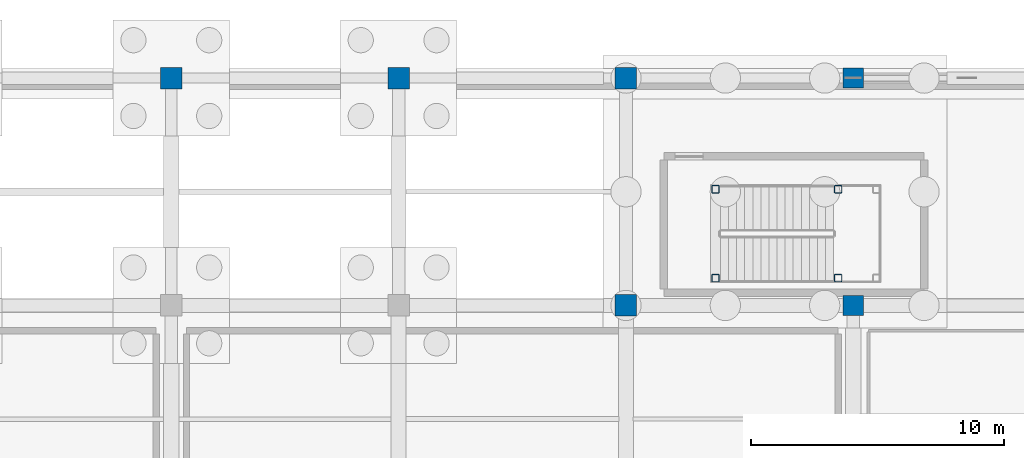
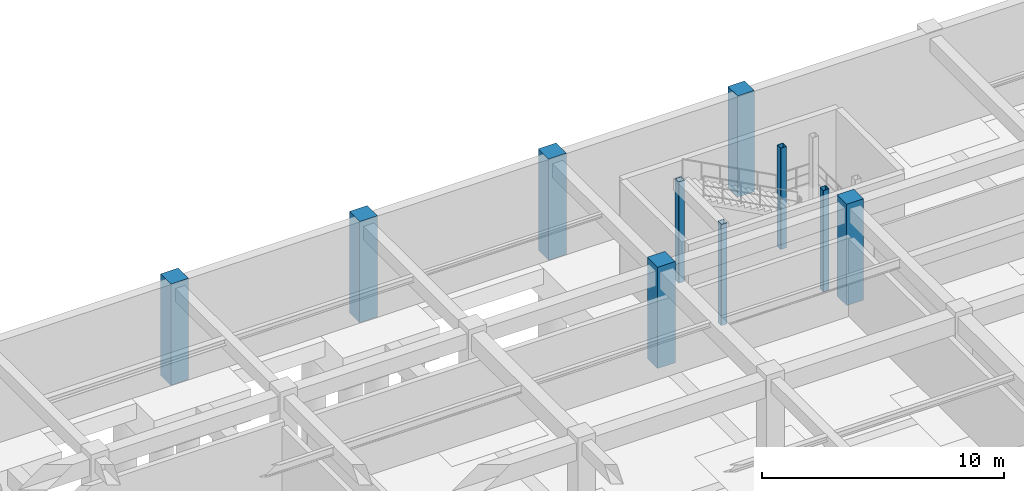
# One storey, part 24 of 62: 10 columns.
"""IFC4 building model written with IfcOpenShell, lengths in metres."""

import ifcopenshell
import ifcopenshell.guid

model = None  # the IFC model being written
_history = None  # IfcOwnerHistory: only IFC2X3 demands one
_inside = {}  # id of a spatial element -> (the spatial element, [elements in it])
_under = {}  # id of a project, library or spatial element -> (it, [spatial elements below it])
_declared = {}  # id of a project -> (the project, [libraries it declares])
_typed = {}  # id of a type object -> (the type object, [elements of that type])
_made_of = {}  # id of a material, layer set ... -> (it, [elements and type objects made of it])


def new_model(schema):
    """Start an empty IFC model of exactly this schema.

    Asked for "IFC4X3", IfcOpenShell would pick the latest addendum, in which some entities
    have other attributes; the version numbers below select the first issue.
    IFC2X3 requires an IfcOwnerHistory on every rooted entity: one is made here for all.
    """
    global model, _history
    if schema == "IFC4X3":
        model = ifcopenshell.file(schema_version=(4, 3, 0, 0))
    else:
        model = ifcopenshell.file(schema=schema)
    _inside.clear()
    _under.clear()
    _declared.clear()
    _typed.clear()
    _made_of.clear()
    _history = None
    if model.schema == "IFC2X3":
        org = make("IfcOrganization", Name="unknown")
        user = make(
            "IfcPersonAndOrganization",
            ThePerson=make("IfcPerson", FamilyName="unknown"),
            TheOrganization=org,
        )
        app = make(
            "IfcApplication",
            ApplicationDeveloper=org,
            Version="unknown",
            ApplicationFullName="unknown",
            ApplicationIdentifier="unknown",
        )
        _history = make(
            "IfcOwnerHistory",
            OwningUser=user,
            OwningApplication=app,
            ChangeAction="ADDED",
            CreationDate=0,
        )
    return model


def make(cls, **values):
    """One entity of the class cls with the attributes given. An attribute that is None is left unset."""
    return model.create_entity(
        cls, **{name: value for name, value in values.items() if value is not None}
    )


def rooted(cls, **values):
    """An entity with a GlobalId (a new one), such as an element, a storey or a relation."""
    return make(cls, GlobalId=ifcopenshell.guid.new(), OwnerHistory=_history, **values)


def si_unit(unit_type, name, prefix=None):
    """IfcSIUnit, for example si_unit("LENGTHUNIT", "METRE", prefix="MILLI")."""
    return make("IfcSIUnit", UnitType=unit_type, Prefix=prefix, Name=name)


def assignment(units):
    """IfcUnitAssignment: the units of a project."""
    return None if units is None else make("IfcUnitAssignment", Units=units)


def point(xyz):
    """IfcCartesianPoint."""
    return None if xyz is None else make("IfcCartesianPoint", Coordinates=xyz)


def direction(xyz):
    """IfcDirection."""
    return None if xyz is None else make("IfcDirection", DirectionRatios=xyz)


def frame(location, z_axis=None, x_axis=None):
    """IfcAxis2Placement3D, a coordinate frame: its origin and axes. An axis left out is left unset."""
    return make(
        "IfcAxis2Placement3D",
        Location=point(location),
        Axis=direction(z_axis),
        RefDirection=direction(x_axis),
    )


def frame_2d(location, x_axis=None):
    """IfcAxis2Placement2D, a coordinate frame in the plane: its origin and x axis."""
    return make(
        "IfcAxis2Placement2D", Location=point(location), RefDirection=direction(x_axis)
    )


def origin():
    """The frame at (0, 0, 0) with its axes left unset."""
    return frame((0.0, 0.0, 0.0))


def origin_2d():
    """The frame at (0, 0) in the plane with its x axis left unset."""
    return frame_2d((0.0, 0.0))


def place(relative_to, where):
    """IfcLocalPlacement: puts the frame where relative to a parent placement (None: the world)."""
    return make(
        "IfcLocalPlacement", PlacementRelTo=relative_to, RelativePlacement=where
    )


def context(
    kind, dimensions, precision=None, world=None, true_north=None, identifier=None
):
    """IfcGeometricRepresentationContext, for example the 3D "Model" context."""
    return make(
        "IfcGeometricRepresentationContext",
        ContextIdentifier=identifier,
        ContextType=kind,
        CoordinateSpaceDimension=dimensions,
        Precision=precision,
        WorldCoordinateSystem=world,
        TrueNorth=true_north,
    )


def subcontext(parent, identifier, kind, view, scale=None):
    """IfcGeometricRepresentationSubContext, for example "Body" below "Model"."""
    return make(
        "IfcGeometricRepresentationSubContext",
        ContextIdentifier=identifier,
        ContextType=kind,
        ParentContext=parent,
        TargetScale=scale,
        TargetView=view,
    )


def project(units=None, contexts=None):
    """IfcProject with its units and contexts."""
    return rooted(
        "IfcProject",
        Name="project",
        RepresentationContexts=contexts,
        UnitsInContext=assignment(units),
    )


def spatial(cls, under=None, at=None, **own):
    """A site, building, storey or space (cls), placed at a placement, below another one or the project."""
    s = rooted(cls, ObjectPlacement=at, **own)
    if under is not None:
        _under.setdefault(under.id(), (under, []))[1].append(s)
    return s


def profile(cls, at=None, kind="AREA", **sizes):
    """A parametric profile (cls). Its sizes go by their IFC names, for example OverallWidth=200.0."""
    return make(cls, ProfileType=kind, Position=at, **sizes)


def rectangle(**sizes):
    """IfcRectangleProfileDef."""
    return profile("IfcRectangleProfileDef", **sizes)


def hollow_rectangle(**sizes):
    """IfcRectangleHollowProfileDef."""
    return profile("IfcRectangleHollowProfileDef", **sizes)


def extrude(swept, where, along, depth):
    """IfcExtrudedAreaSolid: the profile swept, set in the frame where, extruded along a direction by depth."""
    return make(
        "IfcExtrudedAreaSolid",
        SweptArea=swept,
        Position=where,
        ExtrudedDirection=direction(along),
        Depth=depth,
    )


def shape(context_of_items, identifier, shape_type, items):
    """IfcShapeRepresentation: the items that make up one representation, for example the "Body"."""
    return make(
        "IfcShapeRepresentation",
        ContextOfItems=context_of_items,
        RepresentationIdentifier=identifier,
        RepresentationType=shape_type,
        Items=items,
    )


def material(Name=None, Category=None):
    """IfcMaterial."""
    return make("IfcMaterial", Name=Name, Category=Category)


def material_profile(
    of_material, cross_section, Name=None, Category=None, Priority=None
):
    """IfcMaterialProfile: a cross section and its material."""
    return make(
        "IfcMaterialProfile",
        Name=Name,
        Material=of_material,
        Profile=cross_section,
        Priority=Priority,
        Category=Category,
    )


def profile_set(profiles, Name=None, composite=None):
    """IfcMaterialProfileSet."""
    return make(
        "IfcMaterialProfileSet",
        Name=Name,
        MaterialProfiles=profiles,
        CompositeProfile=composite,
    )


def made_of(thing, what):
    """Note that an element or type object is made of a material, layer set ...; save() writes the relation."""
    if what is not None:
        _made_of.setdefault(what.id(), (what, []))[1].append(thing)
    return thing


def type_object(cls, material=None, **own):
    """A type object (cls), such as IfcWallType, which elements share."""
    return made_of(rooted(cls, **own), material)


def element(
    cls,
    number,
    at=None,
    inside=None,
    cuts=None,
    type_object=None,
    material=None,
    context=None,
    identifier="Body",
    shape_type=None,
    held_by="IfcProductDefinitionShape",
    body=None,
    shapes=None,
    **own,
):
    """One element of the class cls, such as IfcWall. Its Tag is "e" and its number.

    at: its placement. inside: the storey or other place that contains it. cuts: it is an
    opening in that element (IfcRelVoidsElement). A single representation is given by context,
    identifier, shape_type and body (its items); several are given by shapes. held_by: the class
    of the entity that holds the representations. save() writes the other relations.
    """
    e = rooted(cls, Tag="e%d" % number, ObjectPlacement=at, **own)
    if body is not None:
        shapes = [shape(context, identifier, shape_type, body)]
    if shapes is not None:
        e.Representation = make(held_by, Representations=shapes)
    if inside is not None:
        _inside.setdefault(inside.id(), (inside, []))[1].append(e)
    if cuts is not None:
        rooted(
            "IfcRelVoidsElement", RelatingBuildingElement=cuts, RelatedOpeningElement=e
        )
    if type_object is not None:
        _typed.setdefault(type_object.id(), (type_object, []))[1].append(e)
    return made_of(e, material)


def aggregate(whole, parts):
    """IfcRelAggregates: a whole, such as a stair, and the parts it consists of."""
    return rooted("IfcRelAggregates", RelatingObject=whole, RelatedObjects=parts)


def save(model, path):
    """Write the relations noted so far, then the file.

    IfcRelAggregates (storeys below a building ...), IfcRelContainedInSpatialStructure (elements
    in a storey), IfcRelDefinesByType, IfcRelAssociatesMaterial and IfcRelDeclares: one each for
    every whole, place, type object, material and project.
    """
    for whole, parts in _under.values():
        aggregate(whole, parts)
    for where, things in _inside.values():
        rooted(
            "IfcRelContainedInSpatialStructure",
            RelatedElements=things,
            RelatingStructure=where,
        )
    for kind, things in _typed.values():
        rooted("IfcRelDefinesByType", RelatedObjects=things, RelatingType=kind)
    for what, things in _made_of.values():
        rooted("IfcRelAssociatesMaterial", RelatedObjects=things, RelatingMaterial=what)
    for by, libraries in _declared.values():
        rooted("IfcRelDeclares", RelatingContext=by, RelatedDefinitions=libraries)
    model.write(path)


model = new_model("IFC4")

# Units and contexts
model_context = context("Model", 3, precision=1e-05, world=origin(), true_north=direction((0.0, 1.0)))
body_context = subcontext(model_context, "Body", "Model", "MODEL_VIEW")
ifc_project = project(units=[si_unit("LENGTHUNIT", "METRE"), si_unit("AREAUNIT", "SQUARE_METRE"), si_unit("VOLUMEUNIT", "CUBIC_METRE"), si_unit("PLANEANGLEUNIT", "RADIAN"), si_unit("MASSUNIT", "GRAM", prefix="KILO")], contexts=[model_context])

# Site, building, storey
site_placement = place(None, origin())
site = spatial("IfcSite", under=ifc_project, at=site_placement, CompositionType="ELEMENT")
building_placement = place(site_placement, origin())
building = spatial("IfcBuilding", under=site, at=building_placement, Name="Miravela Opera House", CompositionType="ELEMENT")
storey_placement = place(building_placement, frame((0.0, 0.0, -5.10009765625)))
storey = spatial("IfcBuildingStorey", under=building, at=storey_placement, Name="B01", CompositionType="ELEMENT", Elevation=-5.10009765625)

# Columns
ifc_material_1 = material(Name="Hollow structural steel ASTM A500 Gr. C", Category="steel")
ifc_material_profile_1 = material_profile(ifc_material_1, hollow_rectangle(XDim=0.300048828125, YDim=0.300048828125, WallThickness=0.01611328125, InnerFilletRadius=0.01611328125, OuterFilletRadius=0.031982421875, at=origin_2d()), Name="HSS300X300X16")
ifc_profile_set_1 = profile_set([ifc_material_profile_1])
column_type_1 = type_object("IfcColumnType", Name="STR-COL-HSS300", PredefinedType="COLUMN", material=ifc_profile_set_1)
for number, where, z_axis, x_axis, name in (
    (1, (120.5400390625, 104.080078125, 0.0), (0.0, 0.0, 1.0), (1.0, 0.0, 0.0), "Stair ST-09 Landing Support Column 1 (B01)"),
    (2, (120.5400390625, 107.60009765625, 0.0), (0.0, 0.0, 1.0), (1.0, 0.0, 0.0), "Stair ST-09 Landing Support Column 2 (B01)"),
    (3, (125.39990234375, 104.080078125, 0.0), (0.0, 0.0, 1.0), (1.0, 0.0, 0.0), "Stair ST-09 Landing Support Column 3 (B01)"),
    (4, (125.39990234375, 107.60009765625, 0.0), (0.0, 0.0, 1.0), (1.0, 0.0, 0.0), "Stair ST-09 Landing Support Column 4 (B01)"),
):
    element("IfcColumn", number, at=place(storey_placement, frame(where, z_axis=z_axis, x_axis=x_axis)), inside=storey, type_object=column_type_1, Name=name, PredefinedType="COLUMN", context=body_context, shape_type="SweptSolid", body=[
        extrude(hollow_rectangle(XDim=0.300048828125, YDim=0.300048828125, WallThickness=0.01611328125, InnerFilletRadius=0.01611328125, OuterFilletRadius=0.031982421875, at=origin_2d()), origin(), (0.0, 0.0, 1.0), 5.10009765625),
    ])
ifc_material_2 = material(Name="Concrete C40/50", Category="concrete")
ifc_material_profile_2 = material_profile(ifc_material_2, rectangle(XDim=0.800048828125, YDim=0.800048828125, at=origin_2d()), Name="RC-COL-800X800")
ifc_profile_set_2 = profile_set([ifc_material_profile_2])
column_type_2 = type_object("IfcColumnType", Name="STR-COL-RC800", PredefinedType="COLUMN", material=ifc_profile_set_2)
for number, where, z_axis, x_axis, name in (
    (5, (126.0, 103.0, 0.0), (0.0, 0.0, 1.0), (1.0, 0.0, 0.0), "Column C-15L (B01)"),
    (6, (126.0, 112.0, 0.0), (0.0, 0.0, 1.0), (1.0, 0.0, 0.0), "Column C-15M (B01)"),
):
    element("IfcColumn", number, at=place(storey_placement, frame(where, z_axis=z_axis, x_axis=x_axis)), inside=storey, type_object=column_type_2, Name=name, PredefinedType="COLUMN", context=body_context, shape_type="SweptSolid", body=[
        extrude(rectangle(XDim=0.800048828125, YDim=0.800048828125, at=origin_2d()), origin(), (0.0, 0.0, 1.0), 5.10009765625),
    ])
ifc_material_profile_3 = material_profile(ifc_material_2, rectangle(XDim=0.85009765625, YDim=0.85009765625, at=origin_2d()), Name="RC-COL-850X850")
ifc_profile_set_3 = profile_set([ifc_material_profile_3])
column_type_3 = type_object("IfcColumnType", Name="STR-COL-RC850", PredefinedType="COLUMN", material=ifc_profile_set_3)
for number, where, z_axis, x_axis, name in (
    (7, (99.0, 112.0, 0.0), (0.0, 0.0, 1.0), (1.0, 0.0, 0.0), "Column C-12M (B01)"),
    (8, (108.0, 112.0, 0.0), (0.0, 0.0, 1.0), (1.0, 0.0, 0.0), "Column C-13M (B01)"),
    (9, (117.0, 103.0, 0.0), (0.0, 0.0, 1.0), (1.0, 0.0, 0.0), "Column C-14L (B01)"),
    (10, (117.0, 112.0, 0.0), (0.0, 0.0, 1.0), (1.0, 0.0, 0.0), "Column C-14M (B01)"),
):
    element("IfcColumn", number, at=place(storey_placement, frame(where, z_axis=z_axis, x_axis=x_axis)), inside=storey, type_object=column_type_3, Name=name, PredefinedType="COLUMN", context=body_context, shape_type="SweptSolid", body=[
        extrude(rectangle(XDim=0.85009765625, YDim=0.85009765625, at=origin_2d()), origin(), (0.0, 0.0, 1.0), 5.10009765625),
    ])

save(model, "model.ifc")
